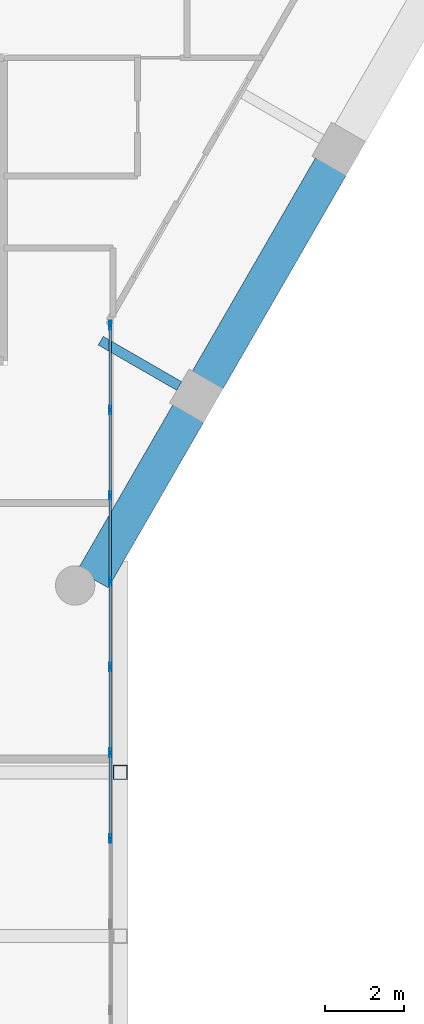
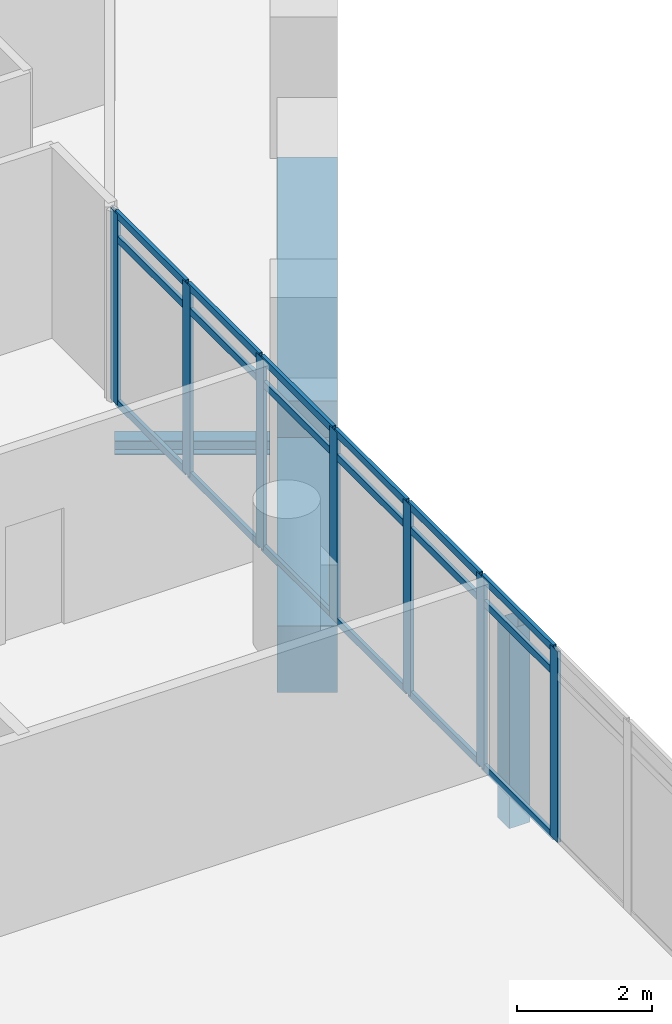
# One storey, part 14 of 38: 26 members, 3 beams, 1 element without a shape of its own.
"""IFC4 building model written with IfcOpenShell, lengths in metres."""

from ifc_helpers import new_model, si_unit, direction, frame, origin, origin_2d, place, context, subcontext, project, spatial, rectangle, hollow_rectangle, i_section, extrude, material, material_profile, profile_set, type_object, element, aggregate, save


model = new_model("IFC4")

# Units and contexts
model_context = context("Model", 3, precision=1e-05, world=origin(), true_north=direction((0.0, 1.0)))
body_context = subcontext(model_context, "Body", "Model", "MODEL_VIEW")
ifc_project = project(units=[si_unit("LENGTHUNIT", "METRE"), si_unit("AREAUNIT", "SQUARE_METRE"), si_unit("VOLUMEUNIT", "CUBIC_METRE"), si_unit("PLANEANGLEUNIT", "RADIAN"), si_unit("MASSUNIT", "GRAM", prefix="KILO")], contexts=[model_context])

# Site, building, storey
site_placement = place(None, origin())
site = spatial("IfcSite", under=ifc_project, at=site_placement, CompositionType="ELEMENT")
building_placement = place(site_placement, origin())
building = spatial("IfcBuilding", under=site, at=building_placement, Name="Ostrander Bayou Hotel Tower", CompositionType="ELEMENT")
storey_placement = place(building_placement, frame((0.0, 0.0, 194.5)))
storey = spatial("IfcBuildingStorey", under=building, at=storey_placement, Name="L48", CompositionType="ELEMENT", Elevation=194.5)

# Curtain wall, members
ifc_material_1 = material(Name="Aluminium and clear glass", Category="aluminium")
curtain_wall_type = type_object("IfcCurtainWallType", Name="CW-BAR glazed wall", PredefinedType="NOTDEFINED", material=ifc_material_1)
curtain_wall_placement = place(storey_placement, origin())
curtain_wall = element("IfcCurtainWall", 1, at=curtain_wall_placement, inside=storey, type_object=curtain_wall_type, Name="CW-BAR L48:SB4S:W", PredefinedType="NOTDEFINED")
ifc_material_2 = material(Name="Aluminium", Category="aluminium")
ifc_material_profile_1 = material_profile(ifc_material_2, hollow_rectangle(XDim=0.06005859375, YDim=0.219970703125, WallThickness=0.00390625, at=origin_2d()))
ifc_profile_set_1 = profile_set([ifc_material_profile_1], Name="Aluminium")
member_type_1 = type_object("IfcMemberType", Name="CW-BR mullion 60 x 220 mm", PredefinedType="MULLION", material=ifc_profile_set_1)
member_1_placement = place(storey_placement, frame((11.857177734375, -10.49267578125, 0.0), z_axis=(0.0, 0.0, 1.0), x_axis=(1.0, 0.0, 0.0)))
member_1 = element("IfcMember", 2, at=member_1_placement, type_object=member_type_1, Name="CW-BAR mullion 1", PredefinedType="MULLION", context=body_context, shape_type="SweptSolid", body=[
    extrude(hollow_rectangle(XDim=0.06005859375, YDim=0.219970703125, WallThickness=0.00390625, at=origin_2d()), origin(), (0.0, 0.0, 1.0), 3.449951171875),
])
member_2_placement = place(storey_placement, frame((11.857177734375, -12.638671875, 0.0), z_axis=(0.0, 0.0, 1.0), x_axis=(1.0, 0.0, 0.0)))
member_2 = element("IfcMember", 3, at=member_2_placement, type_object=member_type_1, Name="CW-BAR mullion 2", PredefinedType="MULLION", context=body_context, shape_type="SweptSolid", body=[
    extrude(hollow_rectangle(XDim=0.06005859375, YDim=0.219970703125, WallThickness=0.00390625, at=origin_2d()), origin(), (0.0, 0.0, 1.0), 3.449951171875),
])
member_3_placement = place(storey_placement, frame((11.857177734375, -14.81494140625, 0.0), z_axis=(0.0, 0.0, 1.0), x_axis=(1.0, 0.0, 0.0)))
member_3 = element("IfcMember", 4, at=member_3_placement, type_object=member_type_1, Name="CW-BAR mullion 3", PredefinedType="MULLION", context=body_context, shape_type="SweptSolid", body=[
    extrude(hollow_rectangle(XDim=0.06005859375, YDim=0.219970703125, WallThickness=0.00390625, at=origin_2d()), origin(), (0.0, 0.0, 1.0), 3.449951171875),
])
member_4_placement = place(storey_placement, frame((11.857177734375, -16.990966796875, 0.0), z_axis=(0.0, 0.0, 1.0), x_axis=(1.0, 0.0, 0.0)))
member_4 = element("IfcMember", 5, at=member_4_placement, type_object=member_type_1, Name="CW-BAR mullion 4", PredefinedType="MULLION", context=body_context, shape_type="SweptSolid", body=[
    extrude(hollow_rectangle(XDim=0.06005859375, YDim=0.219970703125, WallThickness=0.00390625, at=origin_2d()), origin(), (0.0, 0.0, 1.0), 3.449951171875),
])
member_5_placement = place(storey_placement, frame((11.857177734375, -19.1669921875, 0.0), z_axis=(0.0, 0.0, 1.0), x_axis=(1.0, 0.0, 0.0)))
member_5 = element("IfcMember", 6, at=member_5_placement, type_object=member_type_1, Name="CW-BAR mullion 5", PredefinedType="MULLION", context=body_context, shape_type="SweptSolid", body=[
    extrude(hollow_rectangle(XDim=0.06005859375, YDim=0.219970703125, WallThickness=0.00390625, at=origin_2d()), origin(), (0.0, 0.0, 1.0), 3.449951171875),
])
member_6_placement = place(storey_placement, frame((11.857177734375, -21.34326171875, 0.0), z_axis=(0.0, 0.0, 1.0), x_axis=(1.0, 0.0, 0.0)))
member_6 = element("IfcMember", 7, at=member_6_placement, type_object=member_type_1, Name="CW-BAR mullion 6", PredefinedType="MULLION", context=body_context, shape_type="SweptSolid", body=[
    extrude(hollow_rectangle(XDim=0.06005859375, YDim=0.219970703125, WallThickness=0.00390625, at=origin_2d()), origin(), (0.0, 0.0, 1.0), 3.449951171875),
])
member_7_placement = place(storey_placement, frame((11.857177734375, -23.519287109375, 0.0), z_axis=(0.0, 0.0, 1.0), x_axis=(1.0, 0.0, 0.0)))
member_7 = element("IfcMember", 8, at=member_7_placement, type_object=member_type_1, Name="CW-BAR mullion 7", PredefinedType="MULLION", context=body_context, shape_type="SweptSolid", body=[
    extrude(hollow_rectangle(XDim=0.06005859375, YDim=0.219970703125, WallThickness=0.00390625, at=origin_2d()), origin(), (0.0, 0.0, 1.0), 3.449951171875),
])
ifc_material_3 = material(Name="Aluminium", Category="aluminium")
ifc_material_profile_2 = material_profile(ifc_material_3, hollow_rectangle(XDim=0.06005859375, YDim=0.1298828125, WallThickness=0.00390625, at=origin_2d()))
ifc_profile_set_2 = profile_set([ifc_material_profile_2], Name="Aluminium")
member_type_2 = type_object("IfcMemberType", Name="CW-BR transom 60 x 130 mm", PredefinedType="USERDEFINED", material=ifc_profile_set_2)
member_8_placement = place(storey_placement, frame((11.857177734375, -10.522705078125, 0.030029296875), z_axis=(0.0, -1.0, 0.0), x_axis=(1.0, 0.0, 0.0)))
member_8 = element("IfcMember", 9, at=member_8_placement, type_object=member_type_2, Name="CW-BAR transom 1.1", ObjectType="TRANSOM", PredefinedType="USERDEFINED", context=body_context, shape_type="SweptSolid", body=[
    extrude(hollow_rectangle(XDim=0.06005859375, YDim=0.1298828125, WallThickness=0.00390625, at=origin_2d()), origin(), (0.0, 0.0, 1.0), 2.086181640625),
])
member_9_placement = place(storey_placement, frame((11.857177734375, -10.522705078125, 3.0), z_axis=(0.0, -1.0, 0.0), x_axis=(1.0, 0.0, 0.0)))
member_9 = element("IfcMember", 10, at=member_9_placement, type_object=member_type_2, Name="CW-BAR transom 1.2", ObjectType="TRANSOM", PredefinedType="USERDEFINED", context=body_context, shape_type="SweptSolid", body=[
    extrude(hollow_rectangle(XDim=0.06005859375, YDim=0.1298828125, WallThickness=0.00390625, at=origin_2d()), origin(), (0.0, 0.0, 1.0), 2.086181640625),
])
member_10_placement = place(storey_placement, frame((11.857177734375, -10.522705078125, 3.419921875), z_axis=(0.0, -1.0, 0.0), x_axis=(1.0, 0.0, 0.0)))
member_10 = element("IfcMember", 11, at=member_10_placement, type_object=member_type_2, Name="CW-BAR transom 1.3", ObjectType="TRANSOM", PredefinedType="USERDEFINED", context=body_context, shape_type="SweptSolid", body=[
    extrude(hollow_rectangle(XDim=0.06005859375, YDim=0.1298828125, WallThickness=0.00390625, at=origin_2d()), origin(), (0.0, 0.0, 1.0), 2.086181640625),
])
member_11_placement = place(storey_placement, frame((11.857177734375, -12.668701171875, 0.030029296875), z_axis=(0.0, -1.0, 0.0), x_axis=(1.0, 0.0, 0.0)))
member_11 = element("IfcMember", 12, at=member_11_placement, type_object=member_type_2, Name="CW-BAR transom 2.1", ObjectType="TRANSOM", PredefinedType="USERDEFINED", context=body_context, shape_type="SweptSolid", body=[
    extrude(hollow_rectangle(XDim=0.06005859375, YDim=0.1298828125, WallThickness=0.00390625, at=origin_2d()), origin(), (0.0, 0.0, 1.0), 2.1162109375),
])
member_12_placement = place(storey_placement, frame((11.857177734375, -12.668701171875, 3.0), z_axis=(0.0, -1.0, 0.0), x_axis=(1.0, 0.0, 0.0)))
member_12 = element("IfcMember", 13, at=member_12_placement, type_object=member_type_2, Name="CW-BAR transom 2.2", ObjectType="TRANSOM", PredefinedType="USERDEFINED", context=body_context, shape_type="SweptSolid", body=[
    extrude(hollow_rectangle(XDim=0.06005859375, YDim=0.1298828125, WallThickness=0.00390625, at=origin_2d()), origin(), (0.0, 0.0, 1.0), 2.1162109375),
])
member_13_placement = place(storey_placement, frame((11.857177734375, -12.668701171875, 3.419921875), z_axis=(0.0, -1.0, 0.0), x_axis=(1.0, 0.0, 0.0)))
member_13 = element("IfcMember", 14, at=member_13_placement, type_object=member_type_2, Name="CW-BAR transom 2.3", ObjectType="TRANSOM", PredefinedType="USERDEFINED", context=body_context, shape_type="SweptSolid", body=[
    extrude(hollow_rectangle(XDim=0.06005859375, YDim=0.1298828125, WallThickness=0.00390625, at=origin_2d()), origin(), (0.0, 0.0, 1.0), 2.1162109375),
])
member_14_placement = place(storey_placement, frame((11.857177734375, -14.844970703125, 0.030029296875), z_axis=(0.0, -1.0, 0.0), x_axis=(1.0, 0.0, 0.0)))
member_14 = element("IfcMember", 15, at=member_14_placement, type_object=member_type_2, Name="CW-BAR transom 3.1", ObjectType="TRANSOM", PredefinedType="USERDEFINED", context=body_context, shape_type="SweptSolid", body=[
    extrude(hollow_rectangle(XDim=0.06005859375, YDim=0.1298828125, WallThickness=0.00390625, at=origin_2d()), origin(), (0.0, 0.0, 1.0), 2.115966796875),
])
member_15_placement = place(storey_placement, frame((11.857177734375, -14.844970703125, 3.0), z_axis=(0.0, -1.0, 0.0), x_axis=(1.0, 0.0, 0.0)))
member_15 = element("IfcMember", 16, at=member_15_placement, type_object=member_type_2, Name="CW-BAR transom 3.2", ObjectType="TRANSOM", PredefinedType="USERDEFINED", context=body_context, shape_type="SweptSolid", body=[
    extrude(hollow_rectangle(XDim=0.06005859375, YDim=0.1298828125, WallThickness=0.00390625, at=origin_2d()), origin(), (0.0, 0.0, 1.0), 2.115966796875),
])
member_16_placement = place(storey_placement, frame((11.857177734375, -14.844970703125, 3.419921875), z_axis=(0.0, -1.0, 0.0), x_axis=(1.0, 0.0, 0.0)))
member_16 = element("IfcMember", 17, at=member_16_placement, type_object=member_type_2, Name="CW-BAR transom 3.3", ObjectType="TRANSOM", PredefinedType="USERDEFINED", context=body_context, shape_type="SweptSolid", body=[
    extrude(hollow_rectangle(XDim=0.06005859375, YDim=0.1298828125, WallThickness=0.00390625, at=origin_2d()), origin(), (0.0, 0.0, 1.0), 2.115966796875),
])
member_17_placement = place(storey_placement, frame((11.857177734375, -17.02099609375, 0.030029296875), z_axis=(0.0, -1.0, 0.0), x_axis=(1.0, 0.0, 0.0)))
member_17 = element("IfcMember", 18, at=member_17_placement, type_object=member_type_2, Name="CW-BAR transom 4.1", ObjectType="TRANSOM", PredefinedType="USERDEFINED", context=body_context, shape_type="SweptSolid", body=[
    extrude(hollow_rectangle(XDim=0.06005859375, YDim=0.1298828125, WallThickness=0.00390625, at=origin_2d()), origin(), (0.0, 0.0, 1.0), 2.115966796875),
])
member_18_placement = place(storey_placement, frame((11.857177734375, -17.02099609375, 3.0), z_axis=(0.0, -1.0, 0.0), x_axis=(1.0, 0.0, 0.0)))
member_18 = element("IfcMember", 19, at=member_18_placement, type_object=member_type_2, Name="CW-BAR transom 4.2", ObjectType="TRANSOM", PredefinedType="USERDEFINED", context=body_context, shape_type="SweptSolid", body=[
    extrude(hollow_rectangle(XDim=0.06005859375, YDim=0.1298828125, WallThickness=0.00390625, at=origin_2d()), origin(), (0.0, 0.0, 1.0), 2.115966796875),
])
member_19_placement = place(storey_placement, frame((11.857177734375, -17.02099609375, 3.419921875), z_axis=(0.0, -1.0, 0.0), x_axis=(1.0, 0.0, 0.0)))
member_19 = element("IfcMember", 20, at=member_19_placement, type_object=member_type_2, Name="CW-BAR transom 4.3", ObjectType="TRANSOM", PredefinedType="USERDEFINED", context=body_context, shape_type="SweptSolid", body=[
    extrude(hollow_rectangle(XDim=0.06005859375, YDim=0.1298828125, WallThickness=0.00390625, at=origin_2d()), origin(), (0.0, 0.0, 1.0), 2.115966796875),
])
member_20_placement = place(storey_placement, frame((11.857177734375, -19.197021484375, 0.030029296875), z_axis=(0.0, -1.0, 0.0), x_axis=(1.0, 0.0, 0.0)))
member_20 = element("IfcMember", 21, at=member_20_placement, type_object=member_type_2, Name="CW-BAR transom 5.1", ObjectType="TRANSOM", PredefinedType="USERDEFINED", context=body_context, shape_type="SweptSolid", body=[
    extrude(hollow_rectangle(XDim=0.06005859375, YDim=0.1298828125, WallThickness=0.00390625, at=origin_2d()), origin(), (0.0, 0.0, 1.0), 2.1162109375),
])
member_21_placement = place(storey_placement, frame((11.857177734375, -19.197021484375, 3.0), z_axis=(0.0, -1.0, 0.0), x_axis=(1.0, 0.0, 0.0)))
member_21 = element("IfcMember", 22, at=member_21_placement, type_object=member_type_2, Name="CW-BAR transom 5.2", ObjectType="TRANSOM", PredefinedType="USERDEFINED", context=body_context, shape_type="SweptSolid", body=[
    extrude(hollow_rectangle(XDim=0.06005859375, YDim=0.1298828125, WallThickness=0.00390625, at=origin_2d()), origin(), (0.0, 0.0, 1.0), 2.1162109375),
])
member_22_placement = place(storey_placement, frame((11.857177734375, -19.197021484375, 3.419921875), z_axis=(0.0, -1.0, 0.0), x_axis=(1.0, 0.0, 0.0)))
member_22 = element("IfcMember", 23, at=member_22_placement, type_object=member_type_2, Name="CW-BAR transom 5.3", ObjectType="TRANSOM", PredefinedType="USERDEFINED", context=body_context, shape_type="SweptSolid", body=[
    extrude(hollow_rectangle(XDim=0.06005859375, YDim=0.1298828125, WallThickness=0.00390625, at=origin_2d()), origin(), (0.0, 0.0, 1.0), 2.1162109375),
])
member_23_placement = place(storey_placement, frame((11.857177734375, -21.373046875, 0.030029296875), z_axis=(0.0, -1.0, 0.0), x_axis=(1.0, 0.0, 0.0)))
member_23 = element("IfcMember", 24, at=member_23_placement, type_object=member_type_2, Name="CW-BAR transom 6.1", ObjectType="TRANSOM", PredefinedType="USERDEFINED", context=body_context, shape_type="SweptSolid", body=[
    extrude(hollow_rectangle(XDim=0.06005859375, YDim=0.1298828125, WallThickness=0.00390625, at=origin_2d()), origin(), (0.0, 0.0, 1.0), 2.1162109375),
])
member_24_placement = place(storey_placement, frame((11.857177734375, -21.373046875, 3.0), z_axis=(0.0, -1.0, 0.0), x_axis=(1.0, 0.0, 0.0)))
member_24 = element("IfcMember", 25, at=member_24_placement, type_object=member_type_2, Name="CW-BAR transom 6.2", ObjectType="TRANSOM", PredefinedType="USERDEFINED", context=body_context, shape_type="SweptSolid", body=[
    extrude(hollow_rectangle(XDim=0.06005859375, YDim=0.1298828125, WallThickness=0.00390625, at=origin_2d()), origin(), (0.0, 0.0, 1.0), 2.1162109375),
])
member_25_placement = place(storey_placement, frame((11.857177734375, -21.373046875, 3.419921875), z_axis=(0.0, -1.0, 0.0), x_axis=(1.0, 0.0, 0.0)))
member_25 = element("IfcMember", 26, at=member_25_placement, type_object=member_type_2, Name="CW-BAR transom 6.3", ObjectType="TRANSOM", PredefinedType="USERDEFINED", context=body_context, shape_type="SweptSolid", body=[
    extrude(hollow_rectangle(XDim=0.06005859375, YDim=0.1298828125, WallThickness=0.00390625, at=origin_2d()), origin(), (0.0, 0.0, 1.0), 2.1162109375),
])
aggregate(curtain_wall, [member_1, member_2, member_3, member_4, member_5, member_6, member_7, member_8, member_9, member_10, member_11, member_12, member_13, member_14, member_15, member_16, member_17, member_18, member_19, member_20, member_21, member_22, member_23, member_24, member_25])

# Beams
ifc_material_4 = material(Name="Steel ASTM A992", Category="steel")
ifc_material_profile_3 = material_profile(ifc_material_4, i_section(OverallWidth=0.25390625, OverallDepth=0.25341796875, WebThickness=0.008544921875, FlangeThickness=0.01416015625, at=origin_2d()))
ifc_profile_set_3 = profile_set([ifc_material_profile_3], Name="Steel ASTM A992")
beam_type_1 = type_object("IfcBeamType", Name="LB2 loggia bracket W10x49", PredefinedType="BEAM", material=ifc_profile_set_3)
beam_1_placement = place(storey_placement, frame((13.606201171875, -12.033203125, -0.4267578125), z_axis=(-0.86602648383, 0.499998129301, 0.0), x_axis=(-0.499998129301, -0.86602648383, 0.0)))
element("IfcBeam", 27, at=beam_1_placement, inside=storey, type_object=beam_type_1, Name="LB2 L48 SE1", PredefinedType="BEAM", context=body_context, shape_type="SweptSolid", body=[
    extrude(i_section(OverallWidth=0.25390625, OverallDepth=0.25341796875, WebThickness=0.008544921875, FlangeThickness=0.01416015625, at=origin_2d()), origin(), (0.0, 0.0, 1.0), 2.2998046875),
])
ifc_material_5 = material(Name="Concrete f'c 60 MPa", Category="concrete")
ifc_material_profile_4 = material_profile(ifc_material_5, rectangle(XDim=0.89990234375, YDim=1.199951171875, at=origin_2d()))
ifc_profile_set_4 = profile_set([ifc_material_profile_4], Name="Concrete f'c 60 MPa")
beam_type_2 = type_object("IfcBeamType", Name="SP3 spandrel beam 900 x 1200 mm f'c 60 MPa", PredefinedType="SPANDREL", material=ifc_profile_set_4)
beam_2_placement = place(storey_placement, frame((11.41357421875, -16.93115234375, -0.60009765625), z_axis=(0.499974254476, 0.866040267459, 0.0), x_axis=(-0.866040267459, 0.499974254476, 0.0)))
element("IfcBeam", 28, at=beam_2_placement, inside=storey, type_object=beam_type_2, Name="SP3 L48 SE-1", PredefinedType="SPANDREL", context=body_context, shape_type="SweptSolid", body=[
    extrude(rectangle(XDim=0.89990234375, YDim=1.199951171875, at=origin_2d()), origin(), (0.0, 0.0, 1.0), 4.867919921875),
])
beam_3_placement = place(storey_placement, frame((14.3173828125, -11.9013671875, -0.60009765625), z_axis=(0.500013351051, 0.866017695414, 0.0), x_axis=(-0.866017695414, 0.500013351051, 0.0)))
element("IfcBeam", 29, at=beam_3_placement, inside=storey, type_object=beam_type_2, Name="SP3 L48 SE-2", PredefinedType="SPANDREL", context=body_context, shape_type="SweptSolid", body=[
    extrude(rectangle(XDim=0.89990234375, YDim=1.199951171875, at=origin_2d()), origin(), (0.0, 0.0, 1.0), 6.296142578125),
])

# Member
ifc_material_6 = material(Name="Steel ASTM A500 Gr C", Category="steel")
ifc_material_profile_5 = material_profile(ifc_material_6, hollow_rectangle(XDim=0.355712890625, YDim=0.355712890625, WallThickness=0.0087890625, at=origin_2d()))
ifc_profile_set_5 = profile_set([ifc_material_profile_5], Name="Steel ASTM A500 Gr C")
member_type_3 = type_object("IfcMemberType", Name="TH3 bar hanger HSS14x14x3/8", PredefinedType="POST", material=ifc_profile_set_5)
member_26_placement = place(storey_placement, frame((12.110107421875, -21.840576171875, -0.760986328125), z_axis=(0.0, 0.0, 1.0), x_axis=(1.0, 0.0, 0.0)))
element("IfcMember", 30, at=member_26_placement, inside=storey, type_object=member_type_3, Name="TH3 SB4SB H1-1", PredefinedType="POST", context=body_context, shape_type="SweptSolid", body=[
    extrude(hollow_rectangle(XDim=0.355712890625, YDim=0.355712890625, WallThickness=0.0087890625, at=origin_2d()), origin(), (0.0, 0.0, 1.0), 3.599853515625),
])

save(model, "model.ifc")
